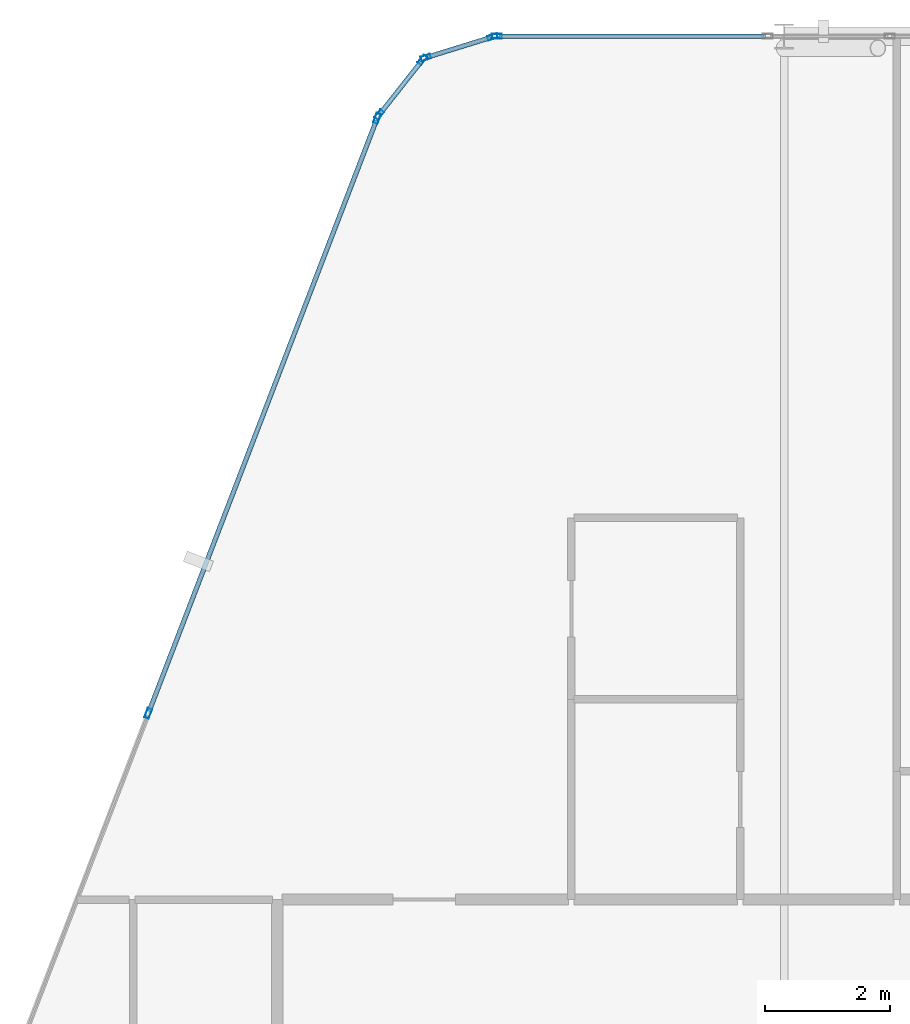
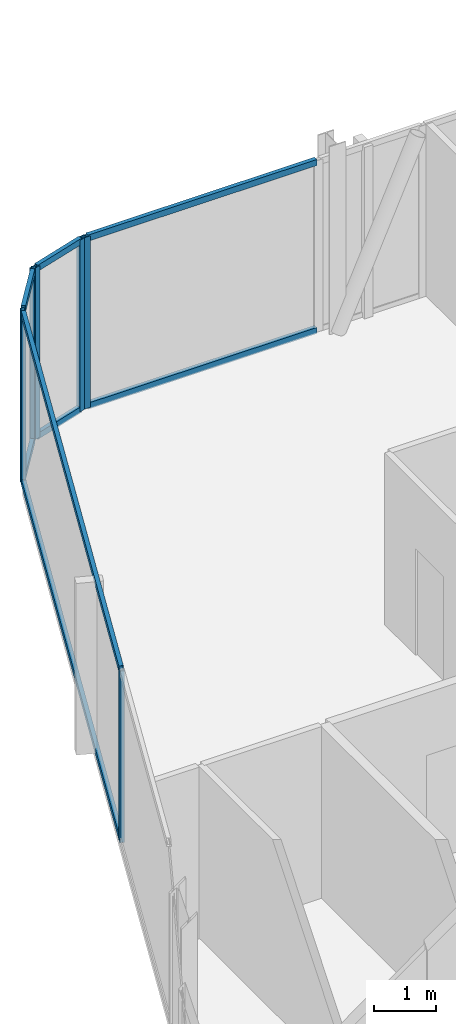
# One storey, part 15 of 27: 15 members, 4 elements without a shape of their own.
"""IFC4 building model written with IfcOpenShell, lengths in metres."""

from ifc_helpers import new_model, si_unit, direction, frame, origin, origin_2d, place, context, subcontext, project, spatial, hollow_rectangle, extrude, material, layer, layer_set, material_profile, profile_set, type_object, element, aggregate, save


model = new_model("IFC4")

# Units and contexts
model_context = context("Model", 3, precision=1e-05, world=origin(), true_north=direction((0.0, 1.0)))
body_context = subcontext(model_context, "Body", "Model", "MODEL_VIEW")
ifc_project = project(units=[si_unit("LENGTHUNIT", "METRE"), si_unit("AREAUNIT", "SQUARE_METRE"), si_unit("VOLUMEUNIT", "CUBIC_METRE"), si_unit("PLANEANGLEUNIT", "RADIAN"), si_unit("MASSUNIT", "GRAM", prefix="KILO")], contexts=[model_context])

# Site, building, storey
site_placement = place(None, origin())
site = spatial("IfcSite", under=ifc_project, at=site_placement, CompositionType="ELEMENT")
building_placement = place(site_placement, origin())
building = spatial("IfcBuilding", under=site, at=building_placement, Name="Keshet Zoharim Tower", CompositionType="ELEMENT")
storey_placement = place(building_placement, frame((0.0, 0.0, 295.39990234375)))
storey = spatial("IfcBuildingStorey", under=building, at=storey_placement, Name="L74", CompositionType="ELEMENT", Elevation=295.39990234375)

# Curtain wall, members
ifc_material = material(Name="Aluminium 6063-T6", Category="aluminium")
ifc_layer = layer(ifc_material, 0.260009765625)
ifc_layer_set = layer_set([ifc_layer], Name="Aluminium 6063-T6")
curtain_wall_type = type_object("IfcCurtainWallType", Name="CW-SYS-06", PredefinedType="NOTDEFINED", material=ifc_layer_set)
curtain_wall_1_placement = place(storey_placement, origin())
curtain_wall_1 = element("IfcCurtainWall", 1, at=curtain_wall_1_placement, inside=storey, type_object=curtain_wall_type, Name="L74 Unitised Curtain Wall 03", PredefinedType="NOTDEFINED")
ifc_material_profile_1 = material_profile(ifc_material, hollow_rectangle(XDim=0.074951171875, YDim=0.159912109375, WallThickness=0.00390625, at=origin_2d()), Name="MUL-75x160")
ifc_profile_set_1 = profile_set([ifc_material_profile_1], Name="Aluminium 6063-T6")
member_type_1 = type_object("IfcMemberType", Name="CWM-M15", PredefinedType="MULLION", material=ifc_profile_set_1)
member_1_placement = place(storey_placement, frame((10.8369140625, 43.076416015625, 0.0), z_axis=(0.0, 0.0, 1.0), x_axis=(-0.933341404361, 0.358990003907, 0.0)))
member_1 = element("IfcMember", 2, at=member_1_placement, type_object=member_type_1, Name="CW-06 mullion 3", PredefinedType="MULLION", context=body_context, shape_type="SweptSolid", body=[
    extrude(hollow_rectangle(XDim=0.074951171875, YDim=0.159912109375, WallThickness=0.00390625, at=origin_2d()), origin(), (0.0, 0.0, 1.0), 3.380126953125),
])
member_2_placement = place(storey_placement, frame((14.494384765625, 52.58544921875, 0.0), z_axis=(0.0, 0.0, 1.0), x_axis=(-0.933341404361, 0.358990003907, 0.0)))
member_2 = element("IfcMember", 3, at=member_2_placement, type_object=member_type_1, Name="CW-06 mullion 4", PredefinedType="MULLION", context=body_context, shape_type="SweptSolid", body=[
    extrude(hollow_rectangle(XDim=0.074951171875, YDim=0.159912109375, WallThickness=0.00390625, at=origin_2d()), origin(), (0.0, 0.0, 1.0), 3.380126953125),
])

curtain_wall_2_placement = place(storey_placement, origin())
curtain_wall_2 = element("IfcCurtainWall", 4, at=curtain_wall_2_placement, inside=storey, type_object=curtain_wall_type, Name="L74 Unitised Curtain Wall 04", PredefinedType="NOTDEFINED")
member_3_placement = place(storey_placement, frame((14.528564453125, 52.6455078125, 0.0), z_axis=(0.0, 0.0, 1.0), x_axis=(-0.785292825205, 0.619124525989, 0.0)))
member_3 = element("IfcMember", 5, at=member_3_placement, type_object=member_type_1, Name="CW-06 mullion 1", PredefinedType="MULLION", context=body_context, shape_type="SweptSolid", body=[
    extrude(hollow_rectangle(XDim=0.074951171875, YDim=0.159912109375, WallThickness=0.00390625, at=origin_2d()), origin(), (0.0, 0.0, 1.0), 3.380126953125),
])
member_4_placement = place(storey_placement, frame((15.21923828125, 53.521484375, 0.0), z_axis=(0.0, 0.0, 1.0), x_axis=(-0.785292825205, 0.619124525989, 0.0)))
member_4 = element("IfcMember", 6, at=member_4_placement, type_object=member_type_1, Name="CW-06 mullion 2", PredefinedType="MULLION", context=body_context, shape_type="SweptSolid", body=[
    extrude(hollow_rectangle(XDim=0.074951171875, YDim=0.159912109375, WallThickness=0.00390625, at=origin_2d()), origin(), (0.0, 0.0, 1.0), 3.380126953125),
])

curtain_wall_3_placement = place(storey_placement, origin())
curtain_wall_3 = element("IfcCurtainWall", 7, at=curtain_wall_3_placement, inside=storey, type_object=curtain_wall_type, Name="L74 Unitised Curtain Wall 05", PredefinedType="NOTDEFINED")
member_5_placement = place(storey_placement, frame((15.2744140625, 53.559326171875, 0.0), z_axis=(0.0, 0.0, 1.0), x_axis=(-0.295921857984, 0.955212151288, 0.0)))
member_5 = element("IfcMember", 8, at=member_5_placement, type_object=member_type_1, Name="CW-06 mullion 1", PredefinedType="MULLION", context=body_context, shape_type="SweptSolid", body=[
    extrude(hollow_rectangle(XDim=0.074951171875, YDim=0.159912109375, WallThickness=0.00390625, at=origin_2d()), origin(), (0.0, 0.0, 1.0), 3.380126953125),
])
member_6_placement = place(storey_placement, frame((16.340576171875, 53.8896484375, 0.0), z_axis=(0.0, 0.0, 1.0), x_axis=(-0.295921857984, 0.955212151288, 0.0)))
member_6 = element("IfcMember", 9, at=member_6_placement, type_object=member_type_1, Name="CW-06 mullion 2", PredefinedType="MULLION", context=body_context, shape_type="SweptSolid", body=[
    extrude(hollow_rectangle(XDim=0.074951171875, YDim=0.159912109375, WallThickness=0.00390625, at=origin_2d()), origin(), (0.0, 0.0, 1.0), 3.380126953125),
])

# Curtain wall, member
curtain_wall_4_placement = place(storey_placement, origin())
curtain_wall_4 = element("IfcCurtainWall", 10, at=curtain_wall_4_placement, inside=storey, type_object=curtain_wall_type, Name="L74 Unitised Curtain Wall 06", PredefinedType="NOTDEFINED")
member_7_placement = place(storey_placement, frame((16.408935546875, 53.89990234375, 0.0), z_axis=(0.0, 0.0, 1.0), x_axis=(0.0, 1.0, 0.0)))
member_7 = element("IfcMember", 11, at=member_7_placement, type_object=member_type_1, Name="CW-06 mullion 1", PredefinedType="MULLION", context=body_context, shape_type="SweptSolid", body=[
    extrude(hollow_rectangle(XDim=0.074951171875, YDim=0.159912109375, WallThickness=0.00390625, at=origin_2d()), origin(), (0.0, 0.0, 1.0), 3.380126953125),
])

# Member
ifc_material_profile_2 = material_profile(ifc_material, hollow_rectangle(XDim=0.074951171875, YDim=0.1201171875, WallThickness=0.00390625, at=origin_2d()), Name="TRN-75x120")
ifc_profile_set_2 = profile_set([ifc_material_profile_2], Name="Aluminium 6063-T6")
member_type_2 = type_object("IfcMemberType", Name="CWT-T12", PredefinedType="USERDEFINED", material=ifc_profile_set_2)
member_8_placement = place(storey_placement, frame((10.849609375, 43.10888671875, 0.03515625), z_axis=(0.358985546764, 0.933343118694, 0.0), x_axis=(-0.933343118694, 0.358985546764, 0.0)))
member_8 = element("IfcMember", 12, at=member_8_placement, type_object=member_type_2, Name="CW-06 transom 3.1", ObjectType="TRANSOM", PredefinedType="USERDEFINED", context=body_context, shape_type="SweptSolid", body=[
    extrude(hollow_rectangle(XDim=0.074951171875, YDim=0.1201171875, WallThickness=0.00390625, at=origin_2d()), origin(), (0.0, 0.0, 1.0), 10.118408203125),
])

member_9_placement = place(storey_placement, frame((10.849609375, 43.10888671875, 3.34521484375), z_axis=(0.358985546764, 0.933343118694, 0.0), x_axis=(-0.933343118694, 0.358985546764, 0.0)))
member_9 = element("IfcMember", 13, at=member_9_placement, type_object=member_type_2, Name="CW-06 transom 3.2", ObjectType="TRANSOM", PredefinedType="USERDEFINED", context=body_context, shape_type="SweptSolid", body=[
    extrude(hollow_rectangle(XDim=0.074951171875, YDim=0.1201171875, WallThickness=0.00390625, at=origin_2d()), origin(), (0.0, 0.0, 1.0), 10.118408203125),
])

aggregate(curtain_wall_1, [member_1, member_2, member_8, member_9])

member_10_placement = place(storey_placement, frame((14.55029296875, 52.6728515625, 0.03515625), z_axis=(0.619099165969, 0.78531281837, 0.0), x_axis=(-0.78531281837, 0.619099165969, 0.0)))
member_10 = element("IfcMember", 14, at=member_10_placement, type_object=member_type_2, Name="CW-06 transom 1.1", ObjectType="TRANSOM", PredefinedType="USERDEFINED", context=body_context, shape_type="SweptSolid", body=[
    extrude(hollow_rectangle(XDim=0.074951171875, YDim=0.1201171875, WallThickness=0.00390625, at=origin_2d()), origin(), (0.0, 0.0, 1.0), 1.0458984375),
])

member_11_placement = place(storey_placement, frame((14.55029296875, 52.6728515625, 3.34521484375), z_axis=(0.619099165969, 0.78531281837, 0.0), x_axis=(-0.78531281837, 0.619099165969, 0.0)))
member_11 = element("IfcMember", 15, at=member_11_placement, type_object=member_type_2, Name="CW-06 transom 1.2", ObjectType="TRANSOM", PredefinedType="USERDEFINED", context=body_context, shape_type="SweptSolid", body=[
    extrude(hollow_rectangle(XDim=0.074951171875, YDim=0.1201171875, WallThickness=0.00390625, at=origin_2d()), origin(), (0.0, 0.0, 1.0), 1.0458984375),
])

aggregate(curtain_wall_2, [member_3, member_4, member_10, member_11])

member_12_placement = place(storey_placement, frame((15.307861328125, 53.56982421875, 0.03515625), z_axis=(0.955212093062, 0.295922045933, 0.0), x_axis=(-0.295922045933, 0.955212093062, 0.0)))
member_12 = element("IfcMember", 16, at=member_12_placement, type_object=member_type_2, Name="CW-06 transom 1.1", ObjectType="TRANSOM", PredefinedType="USERDEFINED", context=body_context, shape_type="SweptSolid", body=[
    extrude(hollow_rectangle(XDim=0.074951171875, YDim=0.1201171875, WallThickness=0.00390625, at=origin_2d()), origin(), (0.0, 0.0, 1.0), 1.046142578125),
])

member_13_placement = place(storey_placement, frame((15.307861328125, 53.56982421875, 3.34521484375), z_axis=(0.955212093062, 0.295922045933, 0.0), x_axis=(-0.295922045933, 0.955212093062, 0.0)))
member_13 = element("IfcMember", 17, at=member_13_placement, type_object=member_type_2, Name="CW-06 transom 1.2", ObjectType="TRANSOM", PredefinedType="USERDEFINED", context=body_context, shape_type="SweptSolid", body=[
    extrude(hollow_rectangle(XDim=0.074951171875, YDim=0.1201171875, WallThickness=0.00390625, at=origin_2d()), origin(), (0.0, 0.0, 1.0), 1.046142578125),
])

aggregate(curtain_wall_3, [member_5, member_6, member_12, member_13])

member_14_placement = place(storey_placement, frame((16.444091796875, 53.89990234375, 0.03515625), z_axis=(1.0, 0.0, 0.0), x_axis=(0.0, 1.0, 0.0)))
member_14 = element("IfcMember", 18, at=member_14_placement, type_object=member_type_2, Name="CW-06 transom 1.1", ObjectType="TRANSOM", PredefinedType="USERDEFINED", context=body_context, shape_type="SweptSolid", body=[
    extrude(hollow_rectangle(XDim=0.074951171875, YDim=0.1201171875, WallThickness=0.00390625, at=origin_2d()), origin(), (0.0, 0.0, 1.0), 4.260986328125),
])

member_15_placement = place(storey_placement, frame((16.444091796875, 53.89990234375, 3.34521484375), z_axis=(1.0, 0.0, 0.0), x_axis=(0.0, 1.0, 0.0)))
member_15 = element("IfcMember", 19, at=member_15_placement, type_object=member_type_2, Name="CW-06 transom 1.2", ObjectType="TRANSOM", PredefinedType="USERDEFINED", context=body_context, shape_type="SweptSolid", body=[
    extrude(hollow_rectangle(XDim=0.074951171875, YDim=0.1201171875, WallThickness=0.00390625, at=origin_2d()), origin(), (0.0, 0.0, 1.0), 4.260986328125),
])

aggregate(curtain_wall_4, [member_7, member_14, member_15])

save(model, "model.ifc")
